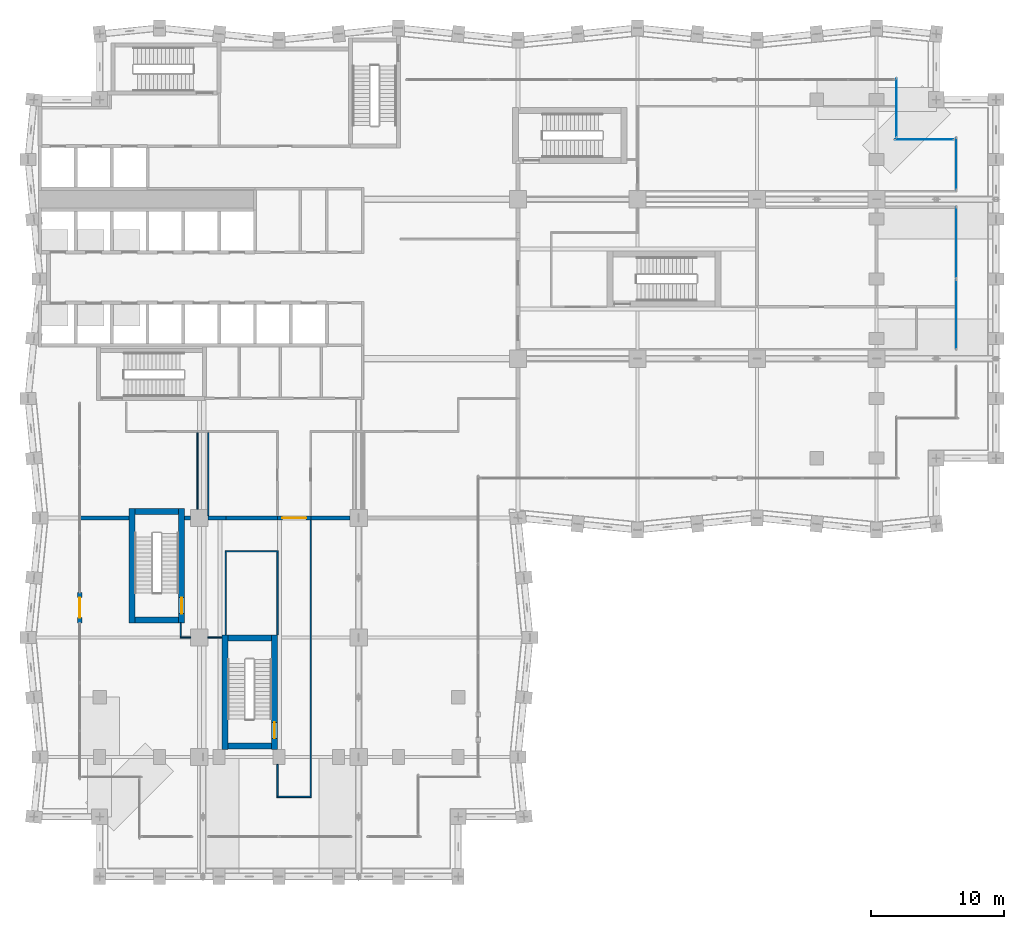
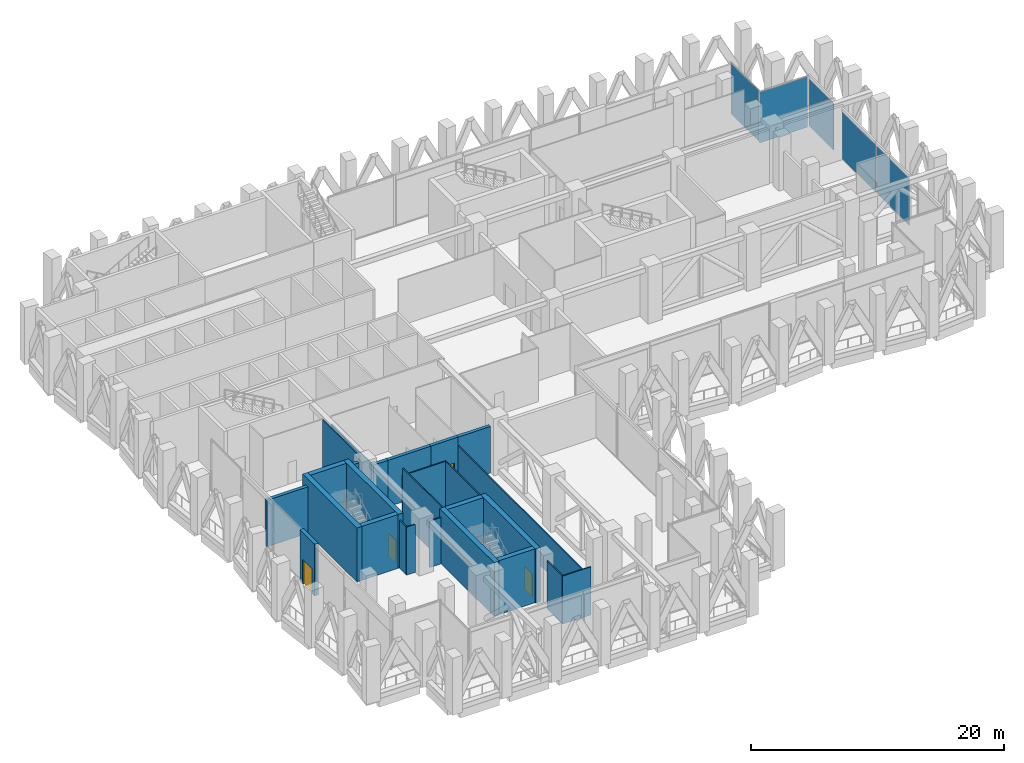
# One storey, part 21 of 37: 26 walls, 5 plates, 4 doors, 4 openings, 5 elements without a shape of their own.
"""IFC4 building model written with IfcOpenShell, lengths in metres."""

from ifc_helpers import new_model, si_unit, direction, frame, frame_2d, origin, origin_2d, place, context, subcontext, project, spatial, rectangle, extrude, material, layer, layer_set, type_object, element, fill, aggregate, save


model = new_model("IFC4")

# Units and contexts
model_context = context("Model", 3, precision=1e-05, world=origin(), true_north=direction((0.0, 1.0)))
body_context = subcontext(model_context, "Body", "Model", "MODEL_VIEW")
ifc_project = project(units=[si_unit("LENGTHUNIT", "METRE"), si_unit("AREAUNIT", "SQUARE_METRE"), si_unit("VOLUMEUNIT", "CUBIC_METRE"), si_unit("PLANEANGLEUNIT", "RADIAN"), si_unit("MASSUNIT", "GRAM", prefix="KILO")], contexts=[model_context])

# Site, building, storey
site_placement = place(None, origin())
site = spatial("IfcSite", under=ifc_project, at=site_placement, CompositionType="ELEMENT")
building_placement = place(site_placement, origin())
building = spatial("IfcBuilding", under=site, at=building_placement, Name="Brondeck Convention Tower", CompositionType="ELEMENT")
storey_placement = place(building_placement, frame((0.0, 0.0, 137.89990234375)))
storey = spatial("IfcBuildingStorey", under=building, at=storey_placement, Name="L33", CompositionType="ELEMENT", Elevation=137.89990234375)

# Curtain wall, plate
ifc_material_1 = material(Name="Aluminium, bronze anodised", Category="aluminium")
curtain_wall_type = type_object("IfcCurtainWallType", Name="Sky lobby curtain wall", PredefinedType="NOTDEFINED", material=ifc_material_1)
curtain_wall_1_placement = place(storey_placement, origin())
curtain_wall_1 = element("IfcCurtainWall", 1, at=curtain_wall_1_placement, inside=storey, type_object=curtain_wall_type, Name="ENV-L33-020-CW30", PredefinedType="NOTDEFINED")
ifc_material_2 = material(Name="Bronze tinted laminated glass", Category="glass")
ifc_layer_1 = layer(ifc_material_2, 0.008056640625, Name="Outer pane")
ifc_material_3 = material(Name="Argon-filled cavity")
ifc_layer_2 = layer(ifc_material_3, 0.011962890625, Name="Cavity")
ifc_material_4 = material(Name="Clear low-emissivity glass", Category="glass")
ifc_layer_3 = layer(ifc_material_4, 0.008056640625, Name="Inner pane")
ifc_layer_set_1 = layer_set([ifc_layer_1, ifc_layer_2, ifc_layer_3], Name="CW3 glazing panel")
plate_type = type_object("IfcPlateType", Name="CW3 glazing panel", PredefinedType="CURTAIN_PANEL", material=ifc_layer_set_1)
plate_1_placement = place(storey_placement, frame((69.0, 42.320068359375, 0.06005859375), z_axis=(0.0, 0.0, 1.0), x_axis=(0.0, -1.0, 0.0)))
plate_1 = element("IfcPlate", 2, at=plate_1_placement, type_object=plate_type, Name="CW3 panel 1.1", PredefinedType="CURTAIN_PANEL", context=body_context, shape_type="SweptSolid", body=[
    extrude(rectangle(XDim=5.179931640625, YDim=0.028076171875, at=origin_2d()), origin(), (0.0, 0.0, 1.0), 4.530029296875),
])
aggregate(curtain_wall_1, [plate_1])

curtain_wall_2_placement = place(storey_placement, origin())
curtain_wall_2 = element("IfcCurtainWall", 3, at=curtain_wall_2_placement, inside=storey, type_object=curtain_wall_type, Name="ENV-L33-020-CW31", PredefinedType="NOTDEFINED")
plate_2_placement = place(storey_placement, frame((69.0, 47.739990234375, 0.06005859375), z_axis=(0.0, 0.0, 1.0), x_axis=(0.0, -1.0, 0.0)))
plate_2 = element("IfcPlate", 4, at=plate_2_placement, type_object=plate_type, Name="CW3 panel 1.1", PredefinedType="CURTAIN_PANEL", context=body_context, shape_type="SweptSolid", body=[
    extrude(rectangle(XDim=5.300048828125, YDim=0.028076171875, at=origin_2d()), origin(), (0.0, 0.0, 1.0), 4.530029296875),
])
aggregate(curtain_wall_2, [plate_2])

curtain_wall_3_placement = place(storey_placement, origin())
curtain_wall_3 = element("IfcCurtainWall", 5, at=curtain_wall_3_placement, inside=storey, type_object=curtain_wall_type, Name="ENV-L33-021-CW30", PredefinedType="NOTDEFINED")
plate_3_placement = place(storey_placement, frame((69.0, 53.659912109375, 0.06005859375), z_axis=(0.0, 0.0, 1.0), x_axis=(0.0, -1.0, 0.0)))
plate_3 = element("IfcPlate", 6, at=plate_3_placement, type_object=plate_type, Name="CW3 panel 1.1", PredefinedType="CURTAIN_PANEL", context=body_context, shape_type="SweptSolid", body=[
    extrude(rectangle(XDim=3.860107421875, YDim=0.028076171875, at=origin_2d()), origin(), (0.0, 0.0, 1.0), 4.530029296875),
])
aggregate(curtain_wall_3, [plate_3])

curtain_wall_4_placement = place(storey_placement, origin())
curtain_wall_4 = element("IfcCurtainWall", 7, at=curtain_wall_4_placement, inside=storey, type_object=curtain_wall_type, Name="ENV-L33-022-CW30", PredefinedType="NOTDEFINED")
plate_4_placement = place(storey_placement, frame((66.60009765625, 55.5, 0.06005859375), z_axis=(0.0, 0.0, 1.0), x_axis=(1.0, 0.0, 0.0)))
plate_4 = element("IfcPlate", 8, at=plate_4_placement, type_object=plate_type, Name="CW3 panel 1.1", PredefinedType="CURTAIN_PANEL", context=body_context, shape_type="SweptSolid", body=[
    extrude(rectangle(XDim=4.3798828125, YDim=0.028076171875, at=origin_2d()), origin(), (0.0, 0.0, 1.0), 4.8798828125),
])
aggregate(curtain_wall_4, [plate_4])

curtain_wall_5_placement = place(storey_placement, origin())
curtain_wall_5 = element("IfcCurtainWall", 9, at=curtain_wall_5_placement, inside=storey, type_object=curtain_wall_type, Name="ENV-L33-023-CW30", PredefinedType="NOTDEFINED")
plate_5_placement = place(storey_placement, frame((64.5, 57.89892578125, 0.06005859375), z_axis=(0.0, 0.0, 1.0), x_axis=(0.0, -1.0, 0.0)))
plate_5 = element("IfcPlate", 10, at=plate_5_placement, type_object=plate_type, Name="CW3 panel 1.1", PredefinedType="CURTAIN_PANEL", context=body_context, shape_type="SweptSolid", body=[
    extrude(rectangle(XDim=4.382080078125, YDim=0.028076171875, at=origin_2d()), origin(), (0.0, 0.0, 1.0), 4.8798828125),
])
aggregate(curtain_wall_5, [plate_5])

# Wall, opening, door
ifc_material_5 = material(Name="Precast concrete C50/60 bronze finish", Category="concrete")
ifc_layer_4 = layer(ifc_material_5, 0.080078125, Name="Bronze precast facing")
ifc_material_6 = material(Name="Mineral wool")
ifc_layer_5 = layer(ifc_material_6, 0.159912109375, Name="Insulation")
ifc_material_7 = material(Name="Precast concrete C50/60", Category="concrete")
ifc_layer_6 = layer(ifc_material_7, 0.110107421875, Name="Rated backing")
ifc_layer_set_2 = layer_set([ifc_layer_4, ifc_layer_5, ifc_layer_6], Name="Band enclosure wall, insulated panel")
wall_type_1 = type_object("IfcWallType", Name="Band enclosure wall, insulated panel", PredefinedType="SOLIDWALL", material=ifc_layer_set_2)
wall_1_placement = place(storey_placement, frame((3.0, 19.10009765625, 0.0), z_axis=(0.0, 0.0, 1.0), x_axis=(0.0, 1.0, 0.0)))
wall_1 = element("IfcWall", 11, at=wall_1_placement, inside=storey, type_object=wall_type_1, Name="ENV-BW-L33-BT-B-W", PredefinedType="SOLIDWALL", context=body_context, shape_type="SweptSolid", body=[
    extrude(rectangle(XDim=2.2998046875, YDim=0.35009765625, at=frame_2d((1.14990234375, 0.0))), origin(), (0.0, 0.0, 1.0), 5.0),
])
opening_1_placement = place(wall_1_placement, frame((0.39990234375, 0.0, 0.0)))
opening_1 = element("IfcOpeningElement", 12, at=opening_1_placement, cuts=wall_1, Name="Opening DB-L33-BT-B-W", PredefinedType="OPENING", context=body_context, shape_type="SweptSolid", body=[
    extrude(rectangle(XDim=1.5, YDim=2.39990234375, at=frame_2d((0.75, 1.199951171875))), frame((0.0, 0.18505859375, 0.0), z_axis=(0.0, -1.0, 0.0), x_axis=(1.0, 0.0, 0.0)), (0.0, 0.0, 1.0), 0.3701171875),
])
ifc_material_8 = material(Name="Steel, fire-rated door leaf", Category="steel")
door_type_1 = type_object("IfcDoorType", Name="Refuge terrace door, double leaf", OperationType="DOUBLE_DOOR_SINGLE_SWING", PredefinedType="DOOR", material=ifc_material_8)
door_1_placement = place(opening_1_placement, origin())
door_1 = element("IfcDoor", 13, at=door_1_placement, inside=storey, type_object=door_type_1, Name="ENV-D-DB-L33-BT-B-W", OperationType="DOUBLE_DOOR_SINGLE_SWING", OverallHeight=2.39990234375, OverallWidth=1.5, PredefinedType="DOOR", context=body_context, shape_type="SweptSolid", body=[
    extrude(rectangle(XDim=1.5, YDim=2.39990234375, at=frame_2d((0.75, 1.199951171875))), frame((0.0, 0.02490234375, 0.0), z_axis=(0.0, -1.0, 0.0), x_axis=(1.0, 0.0, 0.0)), (0.0, 0.0, 1.0), 0.050048828125),
])
fill(opening_1, door_1)

# Walls
ifc_material_9 = material(Name="Concrete compartment wall C30/37", Category="concrete")
ifc_layer_7 = layer(ifc_material_9, 0.300048828125)
ifc_layer_set_3 = layer_set([ifc_layer_7], Name="Compartment wall 300")
wall_type_2 = type_object("IfcWallType", Name="Compartment wall 300", PredefinedType="PARTITIONING", material=ifc_layer_set_3)
wall_2_placement = place(storey_placement, frame((6.699951171875, 27.0, 0.0), z_axis=(0.0, 0.0, 1.0), x_axis=(-1.0, 0.0, 0.0)))
element("IfcWall", 14, at=wall_2_placement, inside=storey, type_object=wall_type_2, Name="FLR-L33-W010", PredefinedType="PARTITIONING", context=body_context, shape_type="SweptSolid", body=[
    extrude(rectangle(XDim=3.75, YDim=0.300048828125, at=frame_2d((1.875, 0.0))), origin(), (0.0, 0.0, 1.0), 4.47998046875),
])
wall_3_placement = place(storey_placement, frame((10.89990234375, 27.0, 0.0), z_axis=(0.0, 0.0, 1.0), x_axis=(1.0, 0.0, 0.0)))
element("IfcWall", 15, at=wall_3_placement, inside=storey, type_object=wall_type_2, Name="FLR-L33-W011", PredefinedType="PARTITIONING", context=body_context, shape_type="SweptSolid", body=[
    extrude(rectangle(XDim=0.445068359375, YDim=0.300048828125, at=frame_2d((0.22265625, 0.0))), origin(), (0.0, 0.0, 1.0), 5.18017578125),
])
wall_4_placement = place(storey_placement, frame((12.669921875, 27.0, 0.0), z_axis=(0.0, 0.0, 1.0), x_axis=(1.0, 0.0, 0.0)))
element("IfcWall", 16, at=wall_4_placement, inside=storey, type_object=wall_type_2, Name="FLR-L33-W012", PredefinedType="PARTITIONING", context=body_context, shape_type="SweptSolid", body=[
    extrude(rectangle(XDim=1.330078125, YDim=0.300048828125, at=frame_2d((0.6650390625, 0.0))), origin(), (0.0, 0.0, 1.0), 4.47998046875),
])
wall_5_placement = place(storey_placement, frame((14.0, 27.0, 0.0), z_axis=(0.0, 0.0, 1.0), x_axis=(1.0, 0.0, 0.0)))
element("IfcWall", 17, at=wall_5_placement, inside=storey, type_object=wall_type_2, Name="FLR-L33-W013", PredefinedType="PARTITIONING", context=body_context, shape_type="SweptSolid", body=[
    extrude(rectangle(XDim=3.89990234375, YDim=0.300048828125, at=frame_2d((1.949951171875, 0.0))), origin(), (0.0, 0.0, 1.0), 4.47998046875),
])

# Wall, opening, door
wall_6_placement = place(storey_placement, frame((20.39990234375, 27.0, 0.0), z_axis=(0.0, 0.0, 1.0), x_axis=(-1.0, 0.0, 0.0)))
wall_6 = element("IfcWall", 18, at=wall_6_placement, inside=storey, type_object=wall_type_2, Name="FLR-L33-W014", PredefinedType="PARTITIONING", context=body_context, shape_type="SweptSolid", body=[
    extrude(rectangle(XDim=2.5, YDim=0.300048828125, at=frame_2d((1.25, 0.0))), origin(), (0.0, 0.0, 1.0), 4.47998046875),
])
opening_2_placement = place(wall_6_placement, frame((0.35009765625, 0.0, 0.0)))
opening_2 = element("IfcOpeningElement", 19, at=opening_2_placement, cuts=wall_6, Name="Opening BD-2-011", PredefinedType="OPENING", context=body_context, shape_type="SweptSolid", body=[
    extrude(rectangle(XDim=1.800048828125, YDim=2.10009765625, at=frame_2d((0.89990234375, 1.050048828125))), frame((0.0, 0.159912109375, 0.0), z_axis=(0.0, -1.0, 0.0), x_axis=(1.0, 0.0, 0.0)), (0.0, 0.0, 1.0), 0.320068359375),
])
ifc_material_10 = material(Name="Steel fire door pair", Category="steel")
door_type_2 = type_object("IfcDoorType", Name="Fire door pair 1800", OperationType="DOUBLE_DOOR_SINGLE_SWING", PredefinedType="DOOR", material=ifc_material_10)
door_2_placement = place(opening_2_placement, origin())
door_2 = element("IfcDoor", 20, at=door_2_placement, inside=storey, type_object=door_type_2, Name="Door BD-2-011", OperationType="DOUBLE_DOOR_SINGLE_SWING", OverallHeight=2.10009765625, OverallWidth=1.800048828125, PredefinedType="DOOR", context=body_context, shape_type="SweptSolid", body=[
    extrude(rectangle(XDim=1.800048828125, YDim=2.10009765625, at=frame_2d((0.89990234375, 1.050048828125))), frame((0.0, 0.02490234375, 0.0), z_axis=(0.0, -1.0, 0.0), x_axis=(1.0, 0.0, 0.0)), (0.0, 0.0, 1.0), 0.050048828125),
])
fill(opening_2, door_2)

# Walls
wall_7_placement = place(storey_placement, frame((23.344970703125, 27.0, 0.0), z_axis=(0.0, 0.0, 1.0), x_axis=(-1.0, 0.0, 0.0)))
element("IfcWall", 21, at=wall_7_placement, inside=storey, type_object=wall_type_2, Name="FLR-L33-W015", PredefinedType="PARTITIONING", context=body_context, shape_type="SweptSolid", body=[
    extrude(rectangle(XDim=2.945068359375, YDim=0.300048828125, at=frame_2d((1.47265625, 0.0))), origin(), (0.0, 0.0, 1.0), 4.47998046875),
])
ifc_material_11 = material(Name="Gypsum board partition on steel studs", Category="steel")
ifc_layer_8 = layer(ifc_material_11, 0.10009765625)
ifc_layer_set_4 = layer_set([ifc_layer_8], Name="Room partition 100")
wall_type_3 = type_object("IfcWallType", Name="Room partition 100", PredefinedType="PARTITIONING", material=ifc_layer_set_4)
wall_8_placement = place(storey_placement, frame((20.449951171875, 6.0, 0.0), z_axis=(0.0, 0.0, 1.0), x_axis=(-1.0, 0.0, 0.0)))
element("IfcWall", 22, at=wall_8_placement, inside=storey, type_object=wall_type_3, Name="FLR-L33-W001", PredefinedType="PARTITIONING", context=body_context, shape_type="SweptSolid", body=[
    extrude(rectangle(XDim=2.599853515625, YDim=0.10009765625, at=frame_2d((1.2998046875, 0.0))), origin(), (0.0, 0.0, 1.0), 4.630126953125),
])
wall_9_placement = place(storey_placement, frame((17.89990234375, 6.050048828125, 0.0), z_axis=(0.0, 0.0, 1.0), x_axis=(0.0, 1.0, 0.0)))
element("IfcWall", 23, at=wall_9_placement, inside=storey, type_object=wall_type_3, Name="FLR-L33-W002", PredefinedType="PARTITIONING", context=body_context, shape_type="SweptSolid", body=[
    extrude(rectangle(XDim=2.39501953125, YDim=0.10009765625, at=frame_2d((1.197509765625, 0.0))), origin(), (0.0, 0.0, 1.0), 4.630126953125),
])
wall_10_placement = place(storey_placement, frame((11.344970703125, 18.0, 0.0), z_axis=(0.0, 0.0, 1.0), x_axis=(-1.0, 0.0, 0.0)))
element("IfcWall", 24, at=wall_10_placement, inside=storey, type_object=wall_type_3, Name="FLR-L33-W003", PredefinedType="PARTITIONING", context=body_context, shape_type="SweptSolid", body=[
    extrude(rectangle(XDim=0.794921875, YDim=0.10009765625, at=frame_2d((0.3974609375, 0.0))), origin(), (0.0, 0.0, 1.0), 4.630126953125),
])
wall_11_placement = place(storey_placement, frame((13.699951171875, 18.0, 0.0), z_axis=(0.0, 0.0, 1.0), x_axis=(-1.0, 0.0, 0.0)))
element("IfcWall", 25, at=wall_11_placement, inside=storey, type_object=wall_type_3, Name="FLR-L33-W004", PredefinedType="PARTITIONING", context=body_context, shape_type="SweptSolid", body=[
    extrude(rectangle(XDim=1.044921875, YDim=0.10009765625, at=frame_2d((0.5224609375, 0.0))), origin(), (0.0, 0.0, 1.0), 4.47998046875),
])
wall_12_placement = place(storey_placement, frame((10.60009765625, 18.050048828125, 0.0), z_axis=(0.0, 0.0, 1.0), x_axis=(0.0, 1.0, 0.0)))
element("IfcWall", 26, at=wall_12_placement, inside=storey, type_object=wall_type_3, Name="FLR-L33-W005", PredefinedType="PARTITIONING", context=body_context, shape_type="SweptSolid", body=[
    extrude(rectangle(XDim=1.050048828125, YDim=0.10009765625, at=frame_2d((0.52490234375, 0.0))), origin(), (0.0, 0.0, 1.0), 4.630126953125),
])
wall_13_placement = place(storey_placement, frame((17.89990234375, 18.199951171875, 0.0), z_axis=(0.0, 0.0, 1.0), x_axis=(0.0, 1.0, 0.0)))
element("IfcWall", 27, at=wall_13_placement, inside=storey, type_object=wall_type_3, Name="FLR-L33-W006", PredefinedType="PARTITIONING", context=body_context, shape_type="SweptSolid", body=[
    extrude(rectangle(XDim=6.25, YDim=0.10009765625, at=frame_2d((3.125, 0.0))), origin(), (0.0, 0.0, 1.0), 4.47998046875),
])
wall_14_placement = place(storey_placement, frame((14.0, 24.449951171875, 0.0), z_axis=(0.0, 0.0, 1.0), x_axis=(0.0, -1.0, 0.0)))
element("IfcWall", 28, at=wall_14_placement, inside=storey, type_object=wall_type_3, Name="FLR-L33-W007", PredefinedType="PARTITIONING", context=body_context, shape_type="SweptSolid", body=[
    extrude(rectangle(XDim=6.25, YDim=0.10009765625, at=frame_2d((3.125, 0.0))), origin(), (0.0, 0.0, 1.0), 5.18017578125),
])
wall_15_placement = place(storey_placement, frame((17.949951171875, 24.5, 0.0), z_axis=(0.0, 0.0, 1.0), x_axis=(-1.0, 0.0, 0.0)))
element("IfcWall", 29, at=wall_15_placement, inside=storey, type_object=wall_type_3, Name="FLR-L33-W008", PredefinedType="PARTITIONING", context=body_context, shape_type="SweptSolid", body=[
    extrude(rectangle(XDim=4.0, YDim=0.10009765625, at=frame_2d((2.0, 0.0))), origin(), (0.0, 0.0, 1.0), 4.47998046875),
])
wall_16_placement = place(storey_placement, frame((20.39990234375, 26.830078125, 0.0), z_axis=(0.0, 0.0, 1.0), x_axis=(0.0, -1.0, 0.0)))
element("IfcWall", 30, at=wall_16_placement, inside=storey, type_object=wall_type_3, Name="FLR-L33-W009", PredefinedType="PARTITIONING", context=body_context, shape_type="SweptSolid", body=[
    extrude(rectangle(XDim=20.780029296875, YDim=0.10009765625, at=frame_2d((10.39013671875, 0.0))), origin(), (0.0, 0.0, 1.0), 3.68017578125),
])
wall_17_placement = place(storey_placement, frame((12.669921875, 27.169921875, 0.0), z_axis=(0.0, 0.0, 1.0), x_axis=(0.0, 1.0, 0.0)))
element("IfcWall", 31, at=wall_17_placement, inside=storey, type_object=wall_type_3, Name="FLR-L33-W018", PredefinedType="PARTITIONING", context=body_context, shape_type="SweptSolid", body=[
    extrude(rectangle(XDim=6.280029296875, YDim=0.10009765625, at=frame_2d((3.14013671875, 0.0))), origin(), (0.0, 0.0, 1.0), 4.47998046875),
])
wall_18_placement = place(storey_placement, frame((11.8701171875, 33.449951171875, 0.0), z_axis=(0.0, 0.0, 1.0), x_axis=(0.0, -1.0, 0.0)))
element("IfcWall", 32, at=wall_18_placement, inside=storey, type_object=wall_type_3, Name="FLR-L33-W023", PredefinedType="PARTITIONING", context=body_context, shape_type="SweptSolid", body=[
    extrude(rectangle(XDim=5.794921875, YDim=0.10009765625, at=frame_2d((2.8974609375, 0.0))), origin(), (0.0, 0.0, 1.0), 5.18017578125),
])
ifc_material_12 = material(Name="Concrete C50/60", Category="concrete")
ifc_layer_9 = layer(ifc_material_12, 0.449951171875)
ifc_layer_set_5 = layer_set([ifc_layer_9], Name="Stair enclosure bearing wall 450 Concrete C50/60")
wall_type_4 = type_object("IfcWallType", Name="Stair enclosure bearing wall 450 Concrete C50/60", PredefinedType="SHEAR", material=ifc_layer_set_5)
for number, where, z_axis, x_axis, name in (
    (33, (14.14990234375, 9.824951171875, 0.0), (0.0, 0.0, 1.0), (1.0, 0.0, 0.0), "L33 core wall"),
    (34, (14.14990234375, 17.97509765625, 0.0), (0.0, 0.0, 1.0), (1.0, 0.0, 0.0), "L33 core wall"),
    (35, (7.14990234375, 19.324951171875, 0.0), (0.0, 0.0, 1.0), (1.0, 0.0, 0.0), "L33 core wall"),
    (36, (7.14990234375, 27.47509765625, 0.0), (0.0, 0.0, 1.0), (1.0, 0.0, 0.0), "L33 core wall"),
):
    element("IfcWall", number, at=place(storey_placement, frame(where, z_axis=z_axis, x_axis=x_axis)), inside=storey, type_object=wall_type_4, Name=name, PredefinedType="SHEAR", context=body_context, shape_type="SweptSolid", body=[
        extrude(rectangle(XDim=3.300048828125, YDim=0.449951171875, at=frame_2d((1.64990234375, 0.0))), origin(), (0.0, 0.0, 1.0), 5.2001953125),
    ])
wall_19_placement = place(storey_placement, frame((6.925048828125, 19.10009765625, 0.0), z_axis=(0.0, 0.0, 1.0), x_axis=(0.0, 1.0, 0.0)))
element("IfcWall", 37, at=wall_19_placement, inside=storey, type_object=wall_type_4, Name="L33 core wall", PredefinedType="SHEAR", context=body_context, shape_type="SweptSolid", body=[
    extrude(rectangle(XDim=8.599853515625, YDim=0.449951171875, at=frame_2d((4.2998046875, 0.0))), origin(), (0.0, 0.0, 1.0), 5.2001953125),
])

# Wall, opening, door
wall_20_placement = place(storey_placement, frame((10.675048828125, 19.10009765625, 0.0), z_axis=(0.0, 0.0, 1.0), x_axis=(0.0, 1.0, 0.0)))
wall_20 = element("IfcWall", 38, at=wall_20_placement, inside=storey, type_object=wall_type_4, Name="L33 core wall", PredefinedType="SHEAR", context=body_context, shape_type="SweptSolid", body=[
    extrude(rectangle(XDim=8.599853515625, YDim=0.449951171875, at=frame_2d((4.2998046875, 0.0))), origin(), (0.0, 0.0, 1.0), 5.2001953125),
])
opening_3_placement = place(wall_20_placement, frame((0.699951171875, 0.0, 0.0)))
opening_3 = element("IfcOpeningElement", 39, at=opening_3_placement, cuts=wall_20, Name="Opening C19-16", PredefinedType="OPENING", context=body_context, shape_type="SweptSolid", body=[
    extrude(rectangle(XDim=1.199951171875, YDim=2.199951171875, at=frame_2d((0.60009765625, 1.10009765625))), frame((0.0, 0.23486328125, 0.0), z_axis=(0.0, -1.0, 0.0), x_axis=(1.0, 0.0, 0.0)), (0.0, 0.0, 1.0), 0.469970703125),
])
ifc_material_13 = material(Name="Steel fire door", Category="steel")
door_type_3 = type_object("IfcDoorType", Name="Stair door 1200x2200 EI 90", OperationType="NOTDEFINED", PredefinedType="DOOR", material=ifc_material_13)
door_3_placement = place(opening_3_placement, origin())
door_3 = element("IfcDoor", 40, at=door_3_placement, inside=storey, type_object=door_type_3, Name="L33 Stair door ST-BE", OperationType="SINGLE_SWING_RIGHT", OverallHeight=2.199951171875, OverallWidth=1.199951171875, PredefinedType="DOOR", context=body_context, shape_type="SweptSolid", body=[
    extrude(rectangle(XDim=1.199951171875, YDim=2.199951171875, at=frame_2d((0.60009765625, 1.10009765625))), frame((0.0, 0.02490234375, 0.0), z_axis=(0.0, -1.0, 0.0), x_axis=(1.0, 0.0, 0.0)), (0.0, 0.0, 1.0), 0.050048828125),
])
fill(opening_3, door_3)

# Wall
wall_21_placement = place(storey_placement, frame((13.925048828125, 9.550048828125, 0.0), z_axis=(0.0, 0.0, 1.0), x_axis=(0.0, 1.0, 0.0)))
element("IfcWall", 41, at=wall_21_placement, inside=storey, type_object=wall_type_4, Name="L33 core wall", PredefinedType="SHEAR", context=body_context, shape_type="SweptSolid", body=[
    extrude(rectangle(XDim=8.64990234375, YDim=0.449951171875, at=frame_2d((4.324951171875, 0.0))), origin(), (0.0, 0.0, 1.0), 5.2001953125),
])

# Wall, opening, door
wall_22_placement = place(storey_placement, frame((17.675048828125, 9.550048828125, 0.0), z_axis=(0.0, 0.0, 1.0), x_axis=(0.0, 1.0, 0.0)))
wall_22 = element("IfcWall", 42, at=wall_22_placement, inside=storey, type_object=wall_type_4, Name="L33 core wall", PredefinedType="SHEAR", context=body_context, shape_type="SweptSolid", body=[
    extrude(rectangle(XDim=8.64990234375, YDim=0.449951171875, at=frame_2d((4.324951171875, 0.0))), origin(), (0.0, 0.0, 1.0), 5.2001953125),
])
opening_4_placement = place(wall_22_placement, frame((0.85009765625, 0.0, 0.0)))
opening_4 = element("IfcOpeningElement", 43, at=opening_4_placement, cuts=wall_22, Name="Opening C19-17", PredefinedType="OPENING", context=body_context, shape_type="SweptSolid", body=[
    extrude(rectangle(XDim=1.199951171875, YDim=2.199951171875, at=frame_2d((0.60009765625, 1.10009765625))), frame((0.0, 0.23486328125, 0.0), z_axis=(0.0, -1.0, 0.0), x_axis=(1.0, 0.0, 0.0)), (0.0, 0.0, 1.0), 0.469970703125),
])
door_4_placement = place(opening_4_placement, origin())
door_4 = element("IfcDoor", 44, at=door_4_placement, inside=storey, type_object=door_type_3, Name="L33 Stair door ST-BF", OperationType="SINGLE_SWING_LEFT", OverallHeight=2.199951171875, OverallWidth=1.199951171875, PredefinedType="DOOR", context=body_context, shape_type="SweptSolid", body=[
    extrude(rectangle(XDim=1.199951171875, YDim=2.199951171875, at=frame_2d((0.60009765625, 1.10009765625))), frame((0.0, 0.02490234375, 0.0), z_axis=(0.0, -1.0, 0.0), x_axis=(1.0, 0.0, 0.0)), (0.0, 0.0, 1.0), 0.050048828125),
])
fill(opening_4, door_4)

save(model, "model.ifc")
